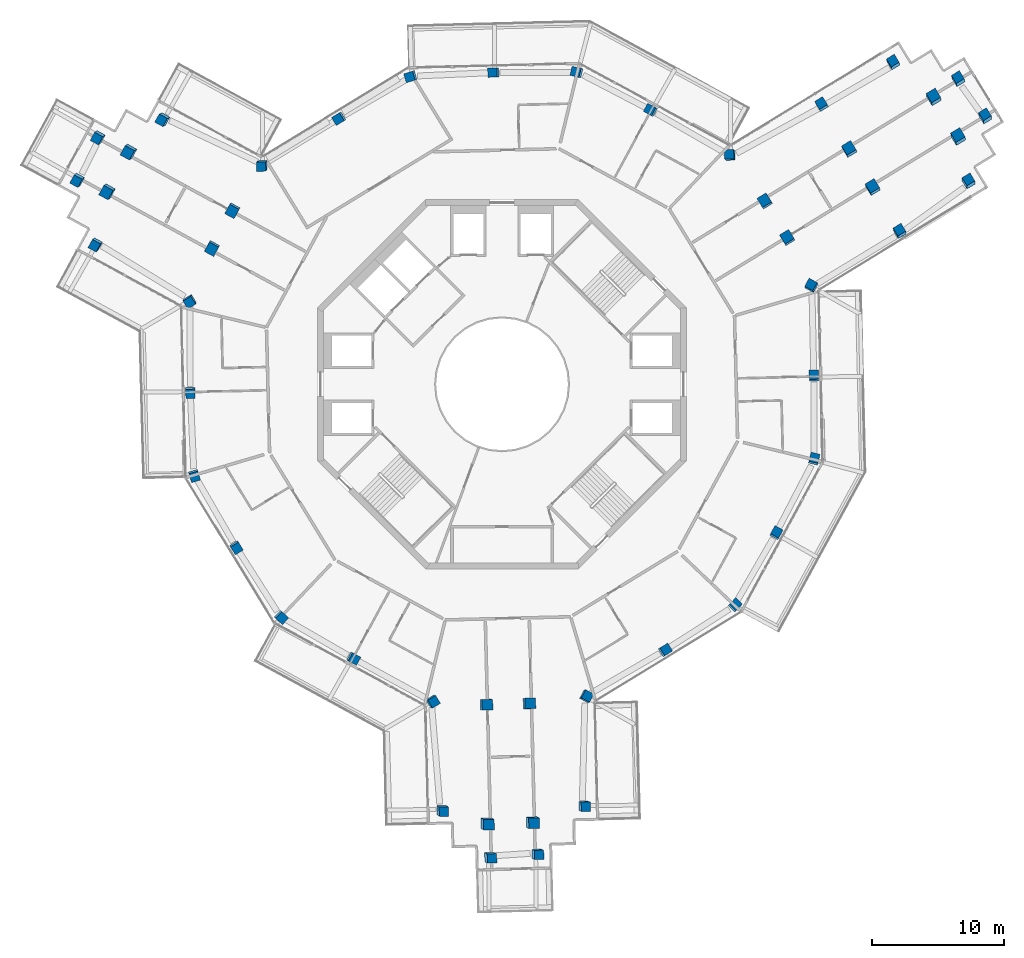
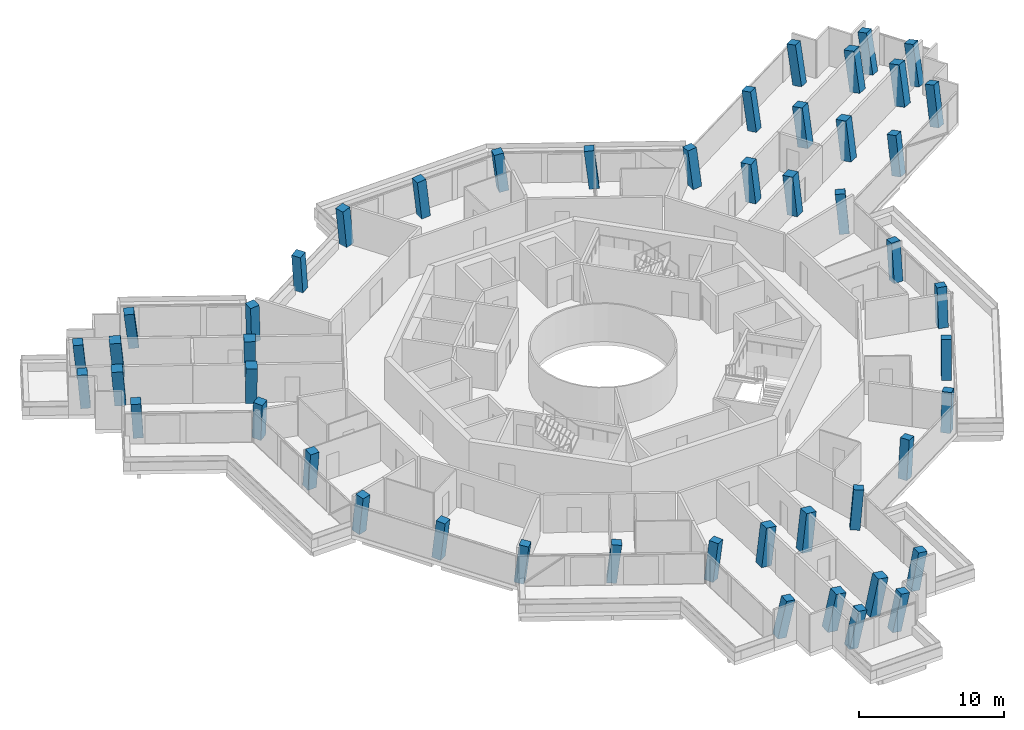
# One storey, part 1 of 26: 49 columns.
"""IFC4 building model written with IfcOpenShell, lengths in metres."""

import ifcopenshell
import ifcopenshell.guid

model = None  # the IFC model being written
_history = None  # IfcOwnerHistory: only IFC2X3 demands one
_inside = {}  # id of a spatial element -> (the spatial element, [elements in it])
_under = {}  # id of a project, library or spatial element -> (it, [spatial elements below it])
_declared = {}  # id of a project -> (the project, [libraries it declares])
_typed = {}  # id of a type object -> (the type object, [elements of that type])
_made_of = {}  # id of a material, layer set ... -> (it, [elements and type objects made of it])


def new_model(schema):
    """Start an empty IFC model of exactly this schema.

    Asked for "IFC4X3", IfcOpenShell would pick the latest addendum, in which some entities
    have other attributes; the version numbers below select the first issue.
    IFC2X3 requires an IfcOwnerHistory on every rooted entity: one is made here for all.
    """
    global model, _history
    if schema == "IFC4X3":
        model = ifcopenshell.file(schema_version=(4, 3, 0, 0))
    else:
        model = ifcopenshell.file(schema=schema)
    _inside.clear()
    _under.clear()
    _declared.clear()
    _typed.clear()
    _made_of.clear()
    _history = None
    if model.schema == "IFC2X3":
        org = make("IfcOrganization", Name="unknown")
        user = make(
            "IfcPersonAndOrganization",
            ThePerson=make("IfcPerson", FamilyName="unknown"),
            TheOrganization=org,
        )
        app = make(
            "IfcApplication",
            ApplicationDeveloper=org,
            Version="unknown",
            ApplicationFullName="unknown",
            ApplicationIdentifier="unknown",
        )
        _history = make(
            "IfcOwnerHistory",
            OwningUser=user,
            OwningApplication=app,
            ChangeAction="ADDED",
            CreationDate=0,
        )
    return model


def make(cls, **values):
    """One entity of the class cls with the attributes given. An attribute that is None is left unset."""
    return model.create_entity(
        cls, **{name: value for name, value in values.items() if value is not None}
    )


def rooted(cls, **values):
    """An entity with a GlobalId (a new one), such as an element, a storey or a relation."""
    return make(cls, GlobalId=ifcopenshell.guid.new(), OwnerHistory=_history, **values)


def si_unit(unit_type, name, prefix=None):
    """IfcSIUnit, for example si_unit("LENGTHUNIT", "METRE", prefix="MILLI")."""
    return make("IfcSIUnit", UnitType=unit_type, Prefix=prefix, Name=name)


def assignment(units):
    """IfcUnitAssignment: the units of a project."""
    return None if units is None else make("IfcUnitAssignment", Units=units)


def point(xyz):
    """IfcCartesianPoint."""
    return None if xyz is None else make("IfcCartesianPoint", Coordinates=xyz)


def direction(xyz):
    """IfcDirection."""
    return None if xyz is None else make("IfcDirection", DirectionRatios=xyz)


def frame(location, z_axis=None, x_axis=None):
    """IfcAxis2Placement3D, a coordinate frame: its origin and axes. An axis left out is left unset."""
    return make(
        "IfcAxis2Placement3D",
        Location=point(location),
        Axis=direction(z_axis),
        RefDirection=direction(x_axis),
    )


def frame_2d(location, x_axis=None):
    """IfcAxis2Placement2D, a coordinate frame in the plane: its origin and x axis."""
    return make(
        "IfcAxis2Placement2D", Location=point(location), RefDirection=direction(x_axis)
    )


def origin():
    """The frame at (0, 0, 0) with its axes left unset."""
    return frame((0.0, 0.0, 0.0))


def origin_2d():
    """The frame at (0, 0) in the plane with its x axis left unset."""
    return frame_2d((0.0, 0.0))


def place(relative_to, where):
    """IfcLocalPlacement: puts the frame where relative to a parent placement (None: the world)."""
    return make(
        "IfcLocalPlacement", PlacementRelTo=relative_to, RelativePlacement=where
    )


def context(
    kind, dimensions, precision=None, world=None, true_north=None, identifier=None
):
    """IfcGeometricRepresentationContext, for example the 3D "Model" context."""
    return make(
        "IfcGeometricRepresentationContext",
        ContextIdentifier=identifier,
        ContextType=kind,
        CoordinateSpaceDimension=dimensions,
        Precision=precision,
        WorldCoordinateSystem=world,
        TrueNorth=true_north,
    )


def subcontext(parent, identifier, kind, view, scale=None):
    """IfcGeometricRepresentationSubContext, for example "Body" below "Model"."""
    return make(
        "IfcGeometricRepresentationSubContext",
        ContextIdentifier=identifier,
        ContextType=kind,
        ParentContext=parent,
        TargetScale=scale,
        TargetView=view,
    )


def project(units=None, contexts=None):
    """IfcProject with its units and contexts."""
    return rooted(
        "IfcProject",
        Name="project",
        RepresentationContexts=contexts,
        UnitsInContext=assignment(units),
    )


def spatial(cls, under=None, at=None, **own):
    """A site, building, storey or space (cls), placed at a placement, below another one or the project."""
    s = rooted(cls, ObjectPlacement=at, **own)
    if under is not None:
        _under.setdefault(under.id(), (under, []))[1].append(s)
    return s


def profile(cls, at=None, kind="AREA", **sizes):
    """A parametric profile (cls). Its sizes go by their IFC names, for example OverallWidth=200.0."""
    return make(cls, ProfileType=kind, Position=at, **sizes)


def rectangle(**sizes):
    """IfcRectangleProfileDef."""
    return profile("IfcRectangleProfileDef", **sizes)


def extrude(swept, where, along, depth):
    """IfcExtrudedAreaSolid: the profile swept, set in the frame where, extruded along a direction by depth."""
    return make(
        "IfcExtrudedAreaSolid",
        SweptArea=swept,
        Position=where,
        ExtrudedDirection=direction(along),
        Depth=depth,
    )


def shape(context_of_items, identifier, shape_type, items):
    """IfcShapeRepresentation: the items that make up one representation, for example the "Body"."""
    return make(
        "IfcShapeRepresentation",
        ContextOfItems=context_of_items,
        RepresentationIdentifier=identifier,
        RepresentationType=shape_type,
        Items=items,
    )


def material(Name=None, Category=None):
    """IfcMaterial."""
    return make("IfcMaterial", Name=Name, Category=Category)


def material_profile(
    of_material, cross_section, Name=None, Category=None, Priority=None
):
    """IfcMaterialProfile: a cross section and its material."""
    return make(
        "IfcMaterialProfile",
        Name=Name,
        Material=of_material,
        Profile=cross_section,
        Priority=Priority,
        Category=Category,
    )


def profile_set(profiles, Name=None, composite=None):
    """IfcMaterialProfileSet."""
    return make(
        "IfcMaterialProfileSet",
        Name=Name,
        MaterialProfiles=profiles,
        CompositeProfile=composite,
    )


def made_of(thing, what):
    """Note that an element or type object is made of a material, layer set ...; save() writes the relation."""
    if what is not None:
        _made_of.setdefault(what.id(), (what, []))[1].append(thing)
    return thing


def type_object(cls, material=None, **own):
    """A type object (cls), such as IfcWallType, which elements share."""
    return made_of(rooted(cls, **own), material)


def element(
    cls,
    number,
    at=None,
    inside=None,
    cuts=None,
    type_object=None,
    material=None,
    context=None,
    identifier="Body",
    shape_type=None,
    held_by="IfcProductDefinitionShape",
    body=None,
    shapes=None,
    **own,
):
    """One element of the class cls, such as IfcWall. Its Tag is "e" and its number.

    at: its placement. inside: the storey or other place that contains it. cuts: it is an
    opening in that element (IfcRelVoidsElement). A single representation is given by context,
    identifier, shape_type and body (its items); several are given by shapes. held_by: the class
    of the entity that holds the representations. save() writes the other relations.
    """
    e = rooted(cls, Tag="e%d" % number, ObjectPlacement=at, **own)
    if body is not None:
        shapes = [shape(context, identifier, shape_type, body)]
    if shapes is not None:
        e.Representation = make(held_by, Representations=shapes)
    if inside is not None:
        _inside.setdefault(inside.id(), (inside, []))[1].append(e)
    if cuts is not None:
        rooted(
            "IfcRelVoidsElement", RelatingBuildingElement=cuts, RelatedOpeningElement=e
        )
    if type_object is not None:
        _typed.setdefault(type_object.id(), (type_object, []))[1].append(e)
    return made_of(e, material)


def aggregate(whole, parts):
    """IfcRelAggregates: a whole, such as a stair, and the parts it consists of."""
    return rooted("IfcRelAggregates", RelatingObject=whole, RelatedObjects=parts)


def save(model, path):
    """Write the relations noted so far, then the file.

    IfcRelAggregates (storeys below a building ...), IfcRelContainedInSpatialStructure (elements
    in a storey), IfcRelDefinesByType, IfcRelAssociatesMaterial and IfcRelDeclares: one each for
    every whole, place, type object, material and project.
    """
    for whole, parts in _under.values():
        aggregate(whole, parts)
    for where, things in _inside.values():
        rooted(
            "IfcRelContainedInSpatialStructure",
            RelatedElements=things,
            RelatingStructure=where,
        )
    for kind, things in _typed.values():
        rooted("IfcRelDefinesByType", RelatedObjects=things, RelatingType=kind)
    for what, things in _made_of.values():
        rooted("IfcRelAssociatesMaterial", RelatedObjects=things, RelatingMaterial=what)
    for by, libraries in _declared.values():
        rooted("IfcRelDeclares", RelatingContext=by, RelatedDefinitions=libraries)
    model.write(path)


model = new_model("IFC4")

# Units and contexts
model_context = context("Model", 3, precision=1e-05, world=origin(), true_north=direction((0.0, 1.0)))
body_context = subcontext(model_context, "Body", "Model", "MODEL_VIEW")
ifc_project = project(units=[si_unit("LENGTHUNIT", "METRE"), si_unit("AREAUNIT", "SQUARE_METRE"), si_unit("VOLUMEUNIT", "CUBIC_METRE"), si_unit("PLANEANGLEUNIT", "RADIAN"), si_unit("MASSUNIT", "GRAM", prefix="KILO")], contexts=[model_context])

# Site, building, storey
site_placement = place(None, origin())
site = spatial("IfcSite", under=ifc_project, at=site_placement, CompositionType="ELEMENT")
building_placement = place(site_placement, origin())
building = spatial("IfcBuilding", under=site, at=building_placement, Name="Verdalira Terraces Hotel", CompositionType="ELEMENT")
storey_placement = place(building_placement, frame((0.0, 0.0, 284.5)))
storey = spatial("IfcBuildingStorey", under=building, at=storey_placement, Name="L70", CompositionType="ELEMENT", Elevation=284.5)

# Columns
ifc_material_1 = material(Name="Concrete C50", Category="concrete")
ifc_material_profile_1 = material_profile(ifc_material_1, rectangle(XDim=0.699951, YDim=0.699951, at=origin_2d()), Name="RC 700X700")
ifc_profile_set_1 = profile_set([ifc_material_profile_1], Name="Concrete C50")
column_type_1 = type_object("IfcColumnType", Name="Column RC 700X700 C50", PredefinedType="COLUMN", material=ifc_profile_set_1)
column_1_placement = place(storey_placement, frame((-25.663818, 20.128662, 0.0), z_axis=(-0.167440536, -0.082930809, 0.982387982), x_axis=(-0.865358016, 0.489783884, -0.106147304)))
element("IfcColumn", 1, at=column_1_placement, inside=storey, type_object=column_type_1, Name="Column C01", PredefinedType="COLUMN", context=body_context, shape_type="SweptSolid", body=[
    extrude(rectangle(XDim=0.699951, YDim=0.699951, at=origin_2d()), origin(), (0.0, 0.0, 1.0), 3.24707),
])
column_2_placement = place(storey_placement, frame((-30.782471, 10.641357, 0.0), z_axis=(-0.123080058, -0.107072099, 0.986603702), x_axis=(0.872829884, -0.484768951, 0.056276622)))
element("IfcColumn", 2, at=column_2_placement, inside=storey, type_object=column_type_1, Name="Column C02", PredefinedType="COLUMN", context=body_context, shape_type="SweptSolid", body=[
    extrude(rectangle(XDim=0.699951, YDim=0.699951, at=origin_2d()), origin(), (0.0, 0.0, 1.0), 3.233154),
])
column_3_placement = place(storey_placement, frame((-23.685059, 6.333984, 0.0), z_axis=(-0.029188819, -0.112878634, 0.993179957), x_axis=(-0.525610713, 0.846879061, 0.080803681)))
element("IfcColumn", 3, at=column_3_placement, inside=storey, type_object=column_type_1, Name="Column C03", PredefinedType="COLUMN", context=body_context, shape_type="SweptSolid", body=[
    extrude(rectangle(XDim=0.699951, YDim=0.699951, at=origin_2d()), origin(), (0.0, 0.0, 1.0), 3.211914),
])
column_4_placement = place(storey_placement, frame((-23.650879, -0.594482, 0.0), z_axis=(0.003726368, -0.112475484, 0.993647513), x_axis=(0.024473849, -0.993346521, -0.112533195)))
element("IfcColumn", 4, at=column_4_placement, inside=storey, type_object=column_type_1, Name="Column C04", PredefinedType="COLUMN", context=body_context, shape_type="SweptSolid", body=[
    extrude(rectangle(XDim=0.699951, YDim=0.699951, at=origin_2d()), origin(), (0.0, 0.0, 1.0), 3.210449),
])
column_5_placement = place(storey_placement, frame((-23.352539, -6.890625, 0.0), z_axis=(0.033676543, -0.110836116, 0.993267963), x_axis=(-0.280681176, 0.952785536, 0.115835227)))
element("IfcColumn", 5, at=column_5_placement, inside=storey, type_object=column_type_1, Name="Column C05", PredefinedType="COLUMN", context=body_context, shape_type="SweptSolid", body=[
    extrude(rectangle(XDim=0.699951, YDim=0.699951, at=origin_2d()), origin(), (0.0, 0.0, 1.0), 3.21167),
])
column_6_placement = place(storey_placement, frame((-20.185059, -12.340332, 0.0), z_axis=(0.05954571, -0.095516489, 0.993645263), x_axis=(0.518491285, -0.847642965, -0.112553057)))
element("IfcColumn", 6, at=column_6_placement, inside=storey, type_object=column_type_1, Name="Column C06", PredefinedType="COLUMN", context=body_context, shape_type="SweptSolid", body=[
    extrude(rectangle(XDim=0.699951, YDim=0.699951, at=origin_2d()), origin(), (0.0, 0.0, 1.0), 3.210449),
])
column_7_placement = place(storey_placement, frame((-16.778564, -17.643799, 0.0), z_axis=(0.084609865, -0.079060431, 0.993272681), x_axis=(-0.719963223, 0.684283954, 0.115794763)))
element("IfcColumn", 7, at=column_7_placement, inside=storey, type_object=column_type_1, Name="Column C07", PredefinedType="COLUMN", context=body_context, shape_type="SweptSolid", body=[
    extrude(rectangle(XDim=0.699951, YDim=0.699951, at=origin_2d()), origin(), (0.0, 0.0, 1.0), 3.211426),
])
column_8_placement = place(storey_placement, frame((-11.310547, -20.779541, 0.0), z_axis=(0.099318662, -0.053005442, 0.993642907), x_axis=(0.872612609, -0.475262413, -0.112573854)))
element("IfcColumn", 8, at=column_8_placement, inside=storey, type_object=column_type_1, Name="Column C08", PredefinedType="COLUMN", context=body_context, shape_type="SweptSolid", body=[
    extrude(rectangle(XDim=0.699951, YDim=0.699951, at=origin_2d()), origin(), (0.0, 0.0, 1.0), 3.210449),
])
column_9_placement = place(storey_placement, frame((-5.297119, -24.05249, 0.0), z_axis=(0.11454425, -0.024246593, 0.993122207), x_axis=(-0.513885456, 0.854108924, 0.080122924)))
element("IfcColumn", 9, at=column_9_placement, inside=storey, type_object=column_type_1, Name="Column C09", PredefinedType="COLUMN", context=body_context, shape_type="SweptSolid", body=[
    extrude(rectangle(XDim=0.699951, YDim=0.699951, at=origin_2d()), origin(), (0.0, 0.0, 1.0), 3.211914),
])
column_10_placement = place(storey_placement, frame((-4.600098, -32.289795, 0.0), z_axis=(0.155559512, -0.103606094, 0.982378245), x_axis=(0.008283028, -0.994312811, -0.106176384)))
element("IfcColumn", 10, at=column_10_placement, inside=storey, type_object=column_type_1, Name="Column C10", PredefinedType="COLUMN", context=body_context, shape_type="SweptSolid", body=[
    extrude(rectangle(XDim=0.699951, YDim=0.699951, at=origin_2d()), origin(), (0.0, 0.0, 1.0), 3.24707),
])
column_11_placement = place(storey_placement, frame((-0.968994, -35.859863, 0.0), z_axis=(0.171916927, -0.086221333, 0.981330959), x_axis=(0.984796277, 0.040238744, -0.168988566)))
element("IfcColumn", 11, at=column_11_placement, inside=storey, type_object=column_type_1, Name="Column C11", PredefinedType="COLUMN", context=body_context, shape_type="SweptSolid", body=[
    extrude(rectangle(XDim=0.699951, YDim=0.699951, at=origin_2d()), origin(), (0.0, 0.0, 1.0), 3.250732),
])
column_12_placement = place(storey_placement, frame((2.605713, -35.609863, 0.0), z_axis=(0.170900527, -0.06957878, 0.982828471), x_axis=(0.984974335, 0.037244144, -0.168636986)))
element("IfcColumn", 12, at=column_12_placement, inside=storey, type_object=column_type_1, Name="Column C12", PredefinedType="COLUMN", context=body_context, shape_type="SweptSolid", body=[
    extrude(rectangle(XDim=0.699951, YDim=0.699951, at=origin_2d()), origin(), (0.0, 0.0, 1.0), 3.245605),
])
column_13_placement = place(storey_placement, frame((6.175537, -31.979004, 0.0), z_axis=(0.154265182, -0.053082929, 0.986602481), x_axis=(-0.01642329, 0.998279986, 0.056279168)))
element("IfcColumn", 13, at=column_13_placement, inside=storey, type_object=column_type_1, Name="Column C13", PredefinedType="COLUMN", context=body_context, shape_type="SweptSolid", body=[
    extrude(rectangle(XDim=0.699951, YDim=0.699951, at=origin_2d()), origin(), (0.0, 0.0, 1.0), 3.233154),
])
column_14_placement = place(storey_placement, frame((6.357178, -23.678711, 0.0), z_axis=(0.112271524, 0.03116542, 0.993188714), x_axis=(-0.47042906, -0.878735238, 0.080751965)))
element("IfcColumn", 14, at=column_14_placement, inside=storey, type_object=column_type_1, Name="Column C14", PredefinedType="COLUMN", context=body_context, shape_type="SweptSolid", body=[
    extrude(rectangle(XDim=0.699951, YDim=0.699951, at=origin_2d()), origin(), (0.0, 0.0, 1.0), 3.211914),
])
column_15_placement = place(storey_placement, frame((12.340332, -20.185059, 0.0), z_axis=(0.095516489, 0.05954571, 0.993645263), x_axis=(0.847642965, 0.518491285, -0.112553057)))
element("IfcColumn", 15, at=column_15_placement, inside=storey, type_object=column_type_1, Name="Column C15", PredefinedType="COLUMN", context=body_context, shape_type="SweptSolid", body=[
    extrude(rectangle(XDim=0.699951, YDim=0.699951, at=origin_2d()), origin(), (0.0, 0.0, 1.0), 3.210449),
])
column_16_placement = place(storey_placement, frame((17.643799, -16.778564, 0.0), z_axis=(0.079060431, 0.084609865, 0.993272681), x_axis=(-0.684283954, -0.719963223, 0.115794763)))
element("IfcColumn", 16, at=column_16_placement, inside=storey, type_object=column_type_1, Name="Column C16", PredefinedType="COLUMN", context=body_context, shape_type="SweptSolid", body=[
    extrude(rectangle(XDim=0.699951, YDim=0.699951, at=origin_2d()), origin(), (0.0, 0.0, 1.0), 3.211426),
])
column_17_placement = place(storey_placement, frame((20.779541, -11.310547, 0.0), z_axis=(0.053005442, 0.099318662, 0.993642907), x_axis=(0.475262413, 0.872612609, -0.112573854)))
element("IfcColumn", 17, at=column_17_placement, inside=storey, type_object=column_type_1, Name="Column C17", PredefinedType="COLUMN", context=body_context, shape_type="SweptSolid", body=[
    extrude(rectangle(XDim=0.699951, YDim=0.699951, at=origin_2d()), origin(), (0.0, 0.0, 1.0), 3.210449),
])
column_18_placement = place(storey_placement, frame((23.669189, -5.70874, 0.0), z_axis=(0.026226708, 0.112812856, 0.993270064), x_axis=(-0.233123432, -0.96552568, 0.115817212)))
element("IfcColumn", 18, at=column_18_placement, inside=storey, type_object=column_type_1, Name="Column C18", PredefinedType="COLUMN", context=body_context, shape_type="SweptSolid", body=[
    extrude(rectangle(XDim=0.699951, YDim=0.699951, at=origin_2d()), origin(), (0.0, 0.0, 1.0), 3.21167),
])
column_19_placement = place(storey_placement, frame((23.650879, 0.594482, 0.0), z_axis=(-0.003726368, 0.112475484, 0.993647513), x_axis=(-0.024473849, 0.993346521, -0.112533195)))
element("IfcColumn", 19, at=column_19_placement, inside=storey, type_object=column_type_1, Name="Column C19", PredefinedType="COLUMN", context=body_context, shape_type="SweptSolid", body=[
    extrude(rectangle(XDim=0.699951, YDim=0.699951, at=origin_2d()), origin(), (0.0, 0.0, 1.0), 3.210449),
])
column_20_placement = place(storey_placement, frame((23.47876, 7.438721, 0.0), z_axis=(-0.036255778, 0.111351605, 0.993119499), x_axis=(-0.482935989, -0.871980865, 0.080138642)))
element("IfcColumn", 20, at=column_20_placement, inside=storey, type_object=column_type_1, Name="Column C20", PredefinedType="COLUMN", context=body_context, shape_type="SweptSolid", body=[
    extrude(rectangle(XDim=0.699951, YDim=0.699951, at=origin_2d()), origin(), (0.0, 0.0, 1.0), 3.212158),
])
column_21_placement = place(storey_placement, frame((30.171387, 11.530518, 0.0), z_axis=(-0.020303648, 0.164316139, 0.986198747), x_axis=(0.856693325, 0.511381733, -0.067566779)))
element("IfcColumn", 21, at=column_21_placement, inside=storey, type_object=column_type_1, Name="Column C21", PredefinedType="COLUMN", context=body_context, shape_type="SweptSolid", body=[
    extrude(rectangle(XDim=0.699951, YDim=0.699951, at=origin_2d()), origin(), (0.0, 0.0, 1.0), 3.234619),
])
column_22_placement = place(storey_placement, frame((35.383057, 15.291016, 0.0), z_axis=(-0.002993499, 0.209395266, 0.977826499), x_axis=(0.858417742, 0.502111356, -0.104895979)))
element("IfcColumn", 22, at=column_22_placement, inside=storey, type_object=column_type_1, Name="Column C22", PredefinedType="COLUMN", context=body_context, shape_type="SweptSolid", body=[
    extrude(rectangle(XDim=0.699951, YDim=0.699951, at=origin_2d()), origin(), (0.0, 0.0, 1.0), 3.262207),
])
column_23_placement = place(storey_placement, frame((36.65918, 20.220215, 0.0), z_axis=(-0.026077216, 0.214894194, 0.976289129), x_axis=(-0.526752003, 0.827084314, -0.196122068)))
element("IfcColumn", 23, at=column_23_placement, inside=storey, type_object=column_type_1, Name="Column C23", PredefinedType="COLUMN", context=body_context, shape_type="SweptSolid", body=[
    extrude(rectangle(XDim=0.699951, YDim=0.699951, at=origin_2d()), origin(), (0.0, 0.0, 1.0), 3.267334),
])
column_24_placement = place(storey_placement, frame((34.622314, 23.053711, 0.0), z_axis=(-0.039365365, 0.205582998, 0.977847636), x_axis=(-0.524268139, 0.828840691, -0.195361275)))
element("IfcColumn", 24, at=column_24_placement, inside=storey, type_object=column_type_1, Name="Column C24", PredefinedType="COLUMN", context=body_context, shape_type="SweptSolid", body=[
    extrude(rectangle(XDim=0.699951, YDim=0.699951, at=origin_2d()), origin(), (0.0, 0.0, 1.0), 3.262207),
])
column_25_placement = place(storey_placement, frame((29.692871, 24.329834, 0.0), z_axis=(-0.045320695, 0.183236908, 0.982023559), x_axis=(-0.857061688, -0.512160173, 0.056010891)))
element("IfcColumn", 25, at=column_25_placement, inside=storey, type_object=column_type_1, Name="Column C25", PredefinedType="COLUMN", context=body_context, shape_type="SweptSolid", body=[
    extrude(rectangle(XDim=0.699951, YDim=0.699951, at=origin_2d()), origin(), (0.0, 0.0, 1.0), 3.248291),
])
column_26_placement = place(storey_placement, frame((24.277344, 21.171387, 0.0), z_axis=(-0.065816296, 0.13647425, 0.988454852), x_axis=(-0.854155349, -0.519804571, 0.014894558)))
element("IfcColumn", 26, at=column_26_placement, inside=storey, type_object=column_type_1, Name="Column C26", PredefinedType="COLUMN", context=body_context, shape_type="SweptSolid", body=[
    extrude(rectangle(XDim=0.699951, YDim=0.699951, at=origin_2d()), origin(), (0.0, 0.0, 1.0), 3.227295),
])
column_27_placement = place(storey_placement, frame((17.327881, 17.344727, 0.0), z_axis=(-0.083157781, 0.081713541, 0.993180588), x_axis=(0.996224348, 0.03175557, 0.080799954)))
element("IfcColumn", 27, at=column_27_placement, inside=storey, type_object=column_type_1, Name="Column C27", PredefinedType="COLUMN", context=body_context, shape_type="SweptSolid", body=[
    extrude(rectangle(XDim=0.699951, YDim=0.699951, at=origin_2d()), origin(), (0.0, 0.0, 1.0), 3.211914),
])
column_28_placement = place(storey_placement, frame((11.310547, 20.779541, 0.0), z_axis=(-0.099318662, 0.053005442, 0.993642907), x_axis=(-0.872612609, 0.475262413, -0.112573854)))
element("IfcColumn", 28, at=column_28_placement, inside=storey, type_object=column_type_1, Name="Column C28", PredefinedType="COLUMN", context=body_context, shape_type="SweptSolid", body=[
    extrude(rectangle(XDim=0.699951, YDim=0.699951, at=origin_2d()), origin(), (0.0, 0.0, 1.0), 3.210449),
])
column_29_placement = place(storey_placement, frame((5.70874, 23.669189, 0.0), z_axis=(-0.112812856, 0.026226708, 0.993270064), x_axis=(0.96552568, -0.233123432, 0.115817212)))
element("IfcColumn", 29, at=column_29_placement, inside=storey, type_object=column_type_1, Name="Column C29", PredefinedType="COLUMN", context=body_context, shape_type="SweptSolid", body=[
    extrude(rectangle(XDim=0.699951, YDim=0.699951, at=origin_2d()), origin(), (0.0, 0.0, 1.0), 3.21167),
])
column_30_placement = place(storey_placement, frame((-0.594482, 23.650879, 0.0), z_axis=(-0.112475484, -0.003726368, 0.993647513), x_axis=(-0.993346521, -0.024473849, -0.112533195)))
element("IfcColumn", 30, at=column_30_placement, inside=storey, type_object=column_type_1, Name="Column C30", PredefinedType="COLUMN", context=body_context, shape_type="SweptSolid", body=[
    extrude(rectangle(XDim=0.699951, YDim=0.699951, at=origin_2d()), origin(), (0.0, 0.0, 1.0), 3.210449),
])
column_31_placement = place(storey_placement, frame((-6.890625, 23.352539, 0.0), z_axis=(-0.110836116, -0.033676543, 0.993267963), x_axis=(0.952785536, 0.280681176, 0.115835227)))
element("IfcColumn", 31, at=column_31_placement, inside=storey, type_object=column_type_1, Name="Column C31", PredefinedType="COLUMN", context=body_context, shape_type="SweptSolid", body=[
    extrude(rectangle(XDim=0.699951, YDim=0.699951, at=origin_2d()), origin(), (0.0, 0.0, 1.0), 3.21167),
])
column_32_placement = place(storey_placement, frame((-12.340332, 20.185059, 0.0), z_axis=(-0.095516489, -0.05954571, 0.993645263), x_axis=(-0.847642965, -0.518491285, -0.112553057)))
element("IfcColumn", 32, at=column_32_placement, inside=storey, type_object=column_type_1, Name="Column C32", PredefinedType="COLUMN", context=body_context, shape_type="SweptSolid", body=[
    extrude(rectangle(XDim=0.699951, YDim=0.699951, at=origin_2d()), origin(), (0.0, 0.0, 1.0), 3.210449),
])
column_33_placement = place(storey_placement, frame((-18.181641, 16.614014, 0.0), z_axis=(-0.078287536, -0.087180392, 0.993111595), x_axis=(0.99660893, 0.018468544, 0.080184496)))
element("IfcColumn", 33, at=column_33_placement, inside=storey, type_object=column_type_1, Name="Column C33", PredefinedType="COLUMN", context=body_context, shape_type="SweptSolid", body=[
    extrude(rectangle(XDim=0.699951, YDim=0.699951, at=origin_2d()), origin(), (0.0, 0.0, 1.0), 3.212158),
])
column_34_placement = place(storey_placement, frame((-30.570801, 18.769287, 0.0), z_axis=(-0.160722799, -0.105821693, 0.981310324), x_axis=(-0.457589305, -0.872939645, -0.169081056)))
element("IfcColumn", 34, at=column_34_placement, inside=storey, type_object=column_type_1, Name="Column C34", PredefinedType="COLUMN", context=body_context, shape_type="SweptSolid", body=[
    extrude(rectangle(XDim=0.699951, YDim=0.699951, at=origin_2d()), origin(), (0.0, 0.0, 1.0), 3.250732),
])
column_35_placement = place(storey_placement, frame((-32.141846, 15.54834, 0.0), z_axis=(-0.145701979, -0.113206752, 0.982830181), x_axis=(-0.460248788, -0.871628033, -0.168628662)))
element("IfcColumn", 35, at=column_35_placement, inside=storey, type_object=column_type_1, Name="Column C35", PredefinedType="COLUMN", context=body_context, shape_type="SweptSolid", body=[
    extrude(rectangle(XDim=0.699951, YDim=0.699951, at=origin_2d()), origin(), (0.0, 0.0, 1.0), 3.245605),
])
ifc_material_2 = material(Name="Concrete C50", Category="concrete")
ifc_material_profile_2 = material_profile(ifc_material_2, rectangle(XDim=0.800049, YDim=0.800049, at=origin_2d()), Name="RC 800X800")
ifc_profile_set_2 = profile_set([ifc_material_profile_2], Name="Concrete C50")
column_type_2 = type_object("IfcColumnType", Name="Column RC 800X800 C50", PredefinedType="COLUMN", material=ifc_profile_set_2)
for number, where, z_axis, x_axis, name in (
    (36, (-20.418945, 13.227783, 0.0), (-0.062108808, -0.097610416, 0.993284804), (-0.877754659, 0.479046742, -0.007808782), "Column C36"),
    (37, (-21.97583, 10.367676, 0.0), (-0.048425941, -0.104910202, 0.993301957), (-0.878705495, 0.477304209, 0.007572663), "Column C37"),
):
    element("IfcColumn", number, at=place(storey_placement, frame(where, z_axis=z_axis, x_axis=x_axis)), inside=storey, type_object=column_type_2, Name=name, PredefinedType="COLUMN", context=body_context, shape_type="SweptSolid", body=[
        extrude(rectangle(XDim=0.800049, YDim=0.800049, at=origin_2d()), origin(), (0.0, 0.0, 1.0), 3.211426),
    ])
column_36_placement = place(storey_placement, frame((-28.239014, 17.677979, 0.0), z_axis=(-0.15591349, -0.095038001, 0.98318806), x_axis=(-0.867777984, 0.488665081, -0.090375936)))
element("IfcColumn", 38, at=column_36_placement, inside=storey, type_object=column_type_2, Name="Column C38", PredefinedType="COLUMN", context=body_context, shape_type="SweptSolid", body=[
    extrude(rectangle(XDim=0.800049, YDim=0.800049, at=origin_2d()), origin(), (0.0, 0.0, 1.0), 3.244385),
])
column_37_placement = place(storey_placement, frame((-29.876953, 14.668457, 0.0), z_axis=(-0.141886566, -0.102703872, 0.984540561), x_axis=(-0.870020262, 0.487347845, -0.074544087)))
element("IfcColumn", 39, at=column_37_placement, inside=storey, type_object=column_type_2, Name="Column C39", PredefinedType="COLUMN", context=body_context, shape_type="SweptSolid", body=[
    extrude(rectangle(XDim=0.800049, YDim=0.800049, at=origin_2d()), origin(), (0.0, 0.0, 1.0), 3.23999),
])
for number, where, z_axis, x_axis, name in (
    (40, (-1.246094, -24.297363, 0.0), (0.115551778, -0.004941359, 0.993289167), (0.024353791, -0.999672924, -0.007806253), "Column C40"),
    (41, (2.009277, -24.215576, 0.0), (0.115021671, 0.010567093, 0.993306776), (0.026462929, -0.999621133, 0.007569947), "Column C41"),
):
    element("IfcColumn", number, at=place(storey_placement, frame(where, z_axis=z_axis, x_axis=x_axis)), inside=storey, type_object=column_type_2, Name=name, PredefinedType="COLUMN", context=body_context, shape_type="SweptSolid", body=[
        extrude(rectangle(XDim=0.800049, YDim=0.800049, at=origin_2d()), origin(), (0.0, 0.0, 1.0), 3.211426),
    ])
column_38_placement = place(storey_placement, frame((-1.189941, -33.294434, 0.0), z_axis=(0.160202986, -0.087588669, 0.983190332), x_axis=(0.010143633, -0.995856612, -0.090369883)))
element("IfcColumn", 42, at=column_38_placement, inside=storey, type_object=column_type_2, Name="Column C42", PredefinedType="COLUMN", context=body_context, shape_type="SweptSolid", body=[
    extrude(rectangle(XDim=0.800049, YDim=0.800049, at=origin_2d()), origin(), (0.0, 0.0, 1.0), 3.244385),
])
column_39_placement = place(storey_placement, frame((2.235107, -33.208496, 0.0), z_axis=(0.159968947, -0.071507551, 0.984528621), x_axis=(0.01323217, -0.99712779, -0.074572644)))
element("IfcColumn", 43, at=column_39_placement, inside=storey, type_object=column_type_2, Name="Column C43", PredefinedType="COLUMN", context=body_context, shape_type="SweptSolid", body=[
    extrude(rectangle(XDim=0.800049, YDim=0.800049, at=origin_2d()), origin(), (0.0, 0.0, 1.0), 3.23999),
])
for number, where, z_axis, x_axis, name in (
    (44, (21.665283, 11.069336, 0.0), (-0.053518596, 0.102551968, 0.993286894), (0.853499182, 0.521035687, -0.007807571), "Column C44"),
    (45, (19.966553, 13.847656, 0.0), (-0.066595216, 0.094419244, 0.993302614), (0.852950684, 0.521936578, 0.007572292), "Column C45"),
):
    element("IfcColumn", number, at=place(storey_placement, frame(where, z_axis=z_axis, x_axis=x_axis)), inside=storey, type_object=column_type_2, Name=name, PredefinedType="COLUMN", context=body_context, shape_type="SweptSolid", body=[
        extrude(rectangle(XDim=0.800049, YDim=0.800049, at=origin_2d()), origin(), (0.0, 0.0, 1.0), 3.211426),
    ])
column_40_placement = place(storey_placement, frame((28.132812, 14.86499, 0.0), z_axis=(-0.036043171, 0.154751392, 0.987295749), x_axis=(0.856048295, 0.514530118, -0.049397111)))
element("IfcColumn", 46, at=column_40_placement, inside=storey, type_object=column_type_2, Name="Column C46", PredefinedType="COLUMN", context=body_context, shape_type="SweptSolid", body=[
    extrude(rectangle(XDim=0.800049, YDim=0.800049, at=origin_2d()), origin(), (0.0, 0.0, 1.0), 3.230957),
])
column_41_placement = place(storey_placement, frame((26.36377, 17.758789, 0.0), z_axis=(-0.049678713, 0.146389633, 0.987978796), x_axis=(0.855376592, 0.51691702, -0.033580968)))
element("IfcColumn", 47, at=column_41_placement, inside=storey, type_object=column_type_2, Name="Column C47", PredefinedType="COLUMN", context=body_context, shape_type="SweptSolid", body=[
    extrude(rectangle(XDim=0.800049, YDim=0.800049, at=origin_2d()), origin(), (0.0, 0.0, 1.0), 3.22876),
])
column_42_placement = place(storey_placement, frame((34.600586, 18.6604, 0.0), z_axis=(-0.018795574, 0.20577784, 0.978418217), x_axis=(0.858388482, 0.505090182, -0.089739194)))
element("IfcColumn", 48, at=column_42_placement, inside=storey, type_object=column_type_2, Name="Column C48", PredefinedType="COLUMN", context=body_context, shape_type="SweptSolid", body=[
    extrude(rectangle(XDim=0.800049, YDim=0.800049, at=origin_2d()), origin(), (0.0, 0.0, 1.0), 3.260254),
])
column_43_placement = place(storey_placement, frame((32.760742, 21.669678, 0.0), z_axis=(-0.032769866, 0.197294091, 0.979796498), x_axis=(0.858181961, 0.50804235, -0.073598187)))
element("IfcColumn", 49, at=column_43_placement, inside=storey, type_object=column_type_2, Name="Column C49", PredefinedType="COLUMN", context=body_context, shape_type="SweptSolid", body=[
    extrude(rectangle(XDim=0.800049, YDim=0.800049, at=origin_2d()), origin(), (0.0, 0.0, 1.0), 3.255615),
])

save(model, "model.ifc")
